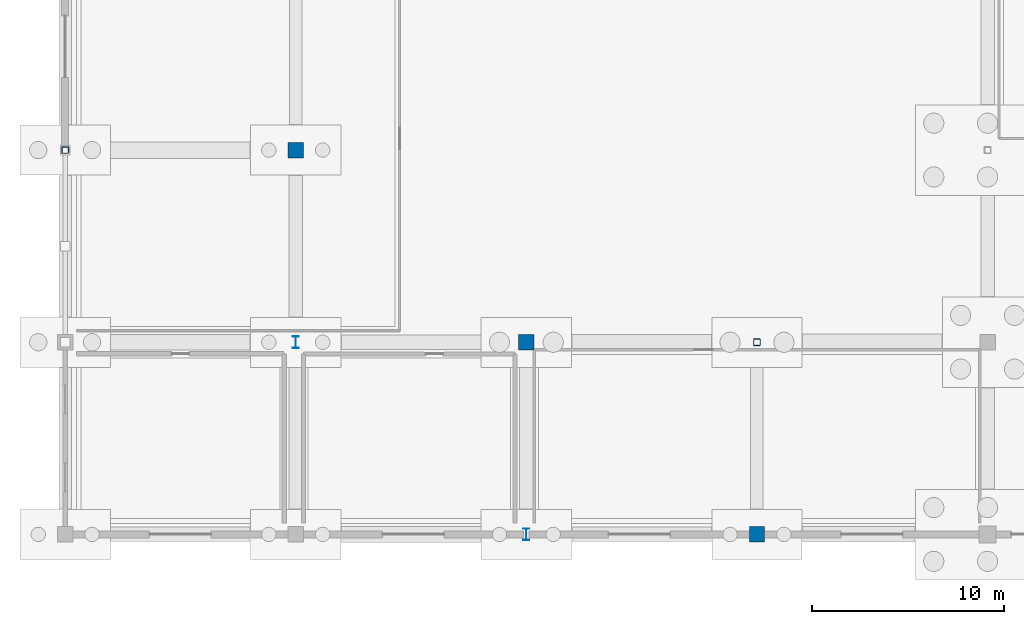
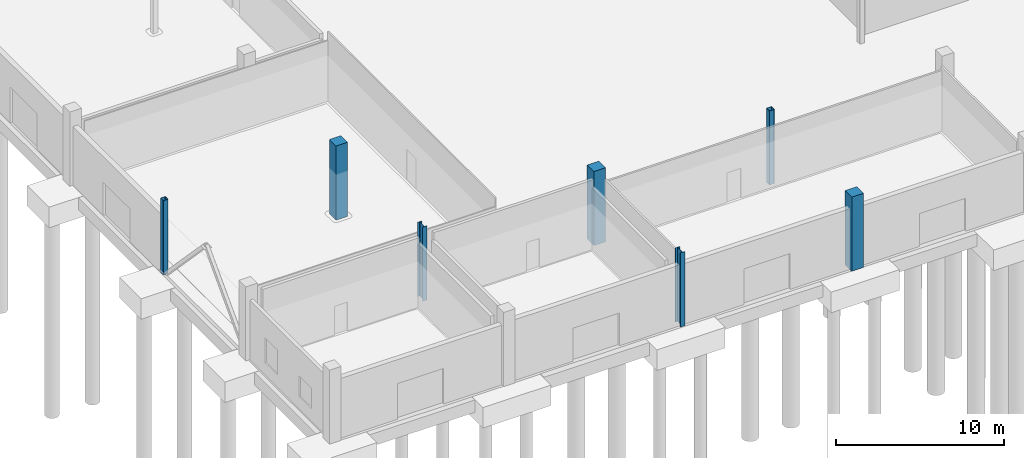
# One storey, part 10 of 70: 7 columns.
"""IFC4 building model written with IfcOpenShell, lengths in metres."""

from ifc_helpers import new_model, si_unit, direction, frame, origin, origin_2d, place, context, subcontext, project, spatial, rectangle, hollow_rectangle, i_section, extrude, material, material_profile, profile_set, type_object, element, save


model = new_model("IFC4")

# Units and contexts
model_context = context("Model", 3, precision=1e-05, world=origin(), true_north=direction((0.0, 1.0)))
body_context = subcontext(model_context, "Body", "Model", "MODEL_VIEW")
ifc_project = project(units=[si_unit("LENGTHUNIT", "METRE"), si_unit("AREAUNIT", "SQUARE_METRE"), si_unit("VOLUMEUNIT", "CUBIC_METRE"), si_unit("PLANEANGLEUNIT", "RADIAN"), si_unit("MASSUNIT", "GRAM", prefix="KILO")], contexts=[model_context])

# Site, building, storey
site_placement = place(None, origin())
site = spatial("IfcSite", under=ifc_project, at=site_placement, CompositionType="ELEMENT")
building_placement = place(site_placement, origin())
building = spatial("IfcBuilding", under=site, at=building_placement, Name="Brinegate Civic Arena", CompositionType="ELEMENT")
storey_placement = place(building_placement, origin())
storey = spatial("IfcBuildingStorey", under=building, at=storey_placement, Name="L00", CompositionType="ELEMENT", Elevation=0.0)

# Columns
ifc_material_1 = material(Name="Concrete C50/60", Category="concrete")
ifc_material_profile_1 = material_profile(ifc_material_1, rectangle(XDim=0.800048828125, YDim=0.800048828125, at=origin_2d()), Name="RC800X800")
ifc_profile_set_1 = profile_set([ifc_material_profile_1], Name="Concrete C50/60")
column_type_1 = type_object("IfcColumnType", Name="COL-CC07-800", PredefinedType="COLUMN", material=ifc_profile_set_1)
for number, where, z_axis, x_axis, name in (
    (1, (12.0, 20.0, 0.0), (0.0, 0.0, 1.0), (1.0, 0.0, 0.0), "Column COL-L00-2-C"),
    (2, (24.0, 10.0, 0.0), (0.0, 0.0, 1.0), (1.0, 0.0, 0.0), "Column COL-L00-3-B"),
    (3, (36.0, 0.0, 0.0), (0.0, 0.0, 1.0), (1.0, 0.0, 0.0), "Column COL-L00-4-A"),
):
    element("IfcColumn", number, at=place(storey_placement, frame(where, z_axis=z_axis, x_axis=x_axis)), inside=storey, type_object=column_type_1, Name=name, PredefinedType="COLUMN", context=body_context, shape_type="SweptSolid", body=[
        extrude(rectangle(XDim=0.800048828125, YDim=0.800048828125, at=origin_2d()), origin(), (0.0, 0.0, 1.0), 5.39990234375),
    ])
ifc_material_2 = material(Name="Steel S355", Category="steel")
ifc_material_profile_2 = material_profile(ifc_material_2, i_section(OverallWidth=0.323974609375, OverallDepth=0.611083984375, WebThickness=0.012939453125, FlangeThickness=0.01904296875, FilletRadius=0.01611328125, at=origin_2d()), Name="W610X155")
ifc_profile_set_2 = profile_set([ifc_material_profile_2], Name="Steel S355")
column_type_2 = type_object("IfcColumnType", Name="COL-SC01-W610", PredefinedType="COLUMN", material=ifc_profile_set_2)
for number, where, z_axis, x_axis, name in (
    (4, (12.0, 10.0, 0.0), (0.0, 0.0, 1.0), (1.0, 0.0, 0.0), "Column COL-L00-2-B"),
    (5, (24.0, 0.0, 0.0), (0.0, 0.0, 1.0), (1.0, 0.0, 0.0), "Column COL-L00-3-A"),
):
    element("IfcColumn", number, at=place(storey_placement, frame(where, z_axis=z_axis, x_axis=x_axis)), inside=storey, type_object=column_type_2, Name=name, PredefinedType="COLUMN", context=body_context, shape_type="SweptSolid", body=[
        extrude(i_section(OverallWidth=0.323974609375, OverallDepth=0.611083984375, WebThickness=0.012939453125, FlangeThickness=0.01904296875, FilletRadius=0.01611328125, at=origin_2d()), origin(), (0.0, 0.0, 1.0), 5.39990234375),
    ])
ifc_material_profile_3 = material_profile(ifc_material_2, hollow_rectangle(XDim=0.35009765625, YDim=0.35009765625, WallThickness=0.01611328125, InnerFilletRadius=0.01611328125, OuterFilletRadius=0.031982421875, at=origin_2d()), Name="SHS350X16")
ifc_profile_set_3 = profile_set([ifc_material_profile_3], Name="Steel S355")
column_type_3 = type_object("IfcColumnType", Name="COL-SC04-SHS350", PredefinedType="COLUMN", material=ifc_profile_set_3)
for number, where, z_axis, x_axis, name in (
    (6, (0.0, 20.0, 0.0), (0.0, 0.0, 1.0), (1.0, 0.0, 0.0), "Column COL-L00-1-C"),
    (7, (36.0, 10.0, 0.0), (0.0, 0.0, 1.0), (1.0, 0.0, 0.0), "Column COL-L00-4-B"),
):
    element("IfcColumn", number, at=place(storey_placement, frame(where, z_axis=z_axis, x_axis=x_axis)), inside=storey, type_object=column_type_3, Name=name, PredefinedType="COLUMN", context=body_context, shape_type="SweptSolid", body=[
        extrude(hollow_rectangle(XDim=0.35009765625, YDim=0.35009765625, WallThickness=0.01611328125, InnerFilletRadius=0.01611328125, OuterFilletRadius=0.031982421875, at=origin_2d()), origin(), (0.0, 0.0, 1.0), 5.39990234375),
    ])

save(model, "model.ifc")
